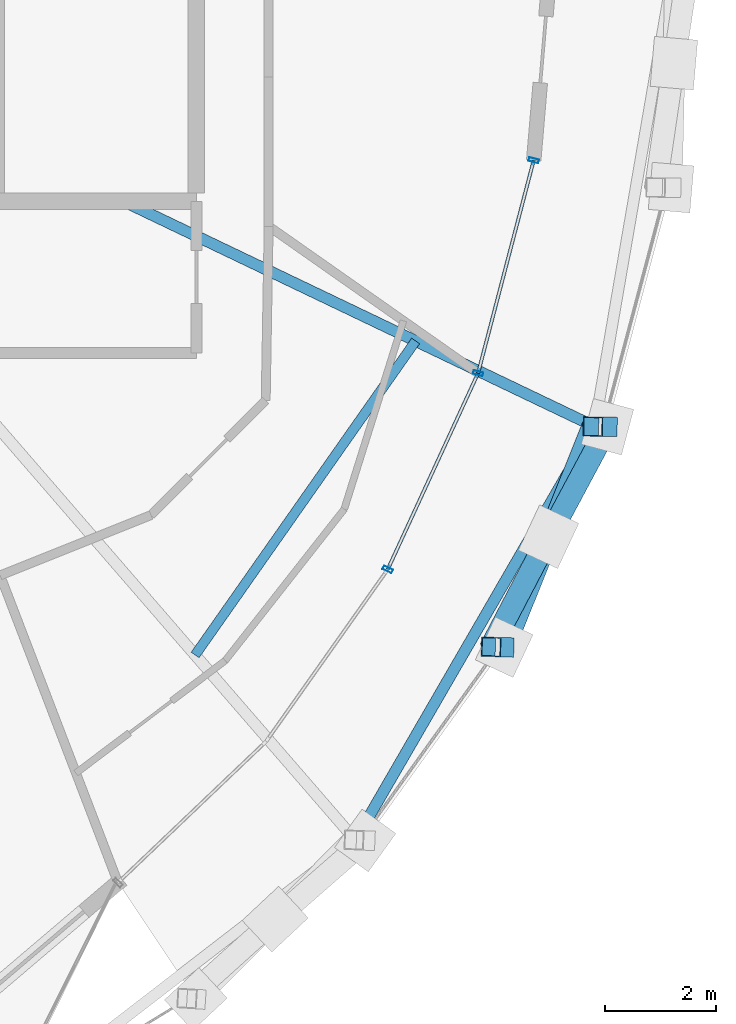
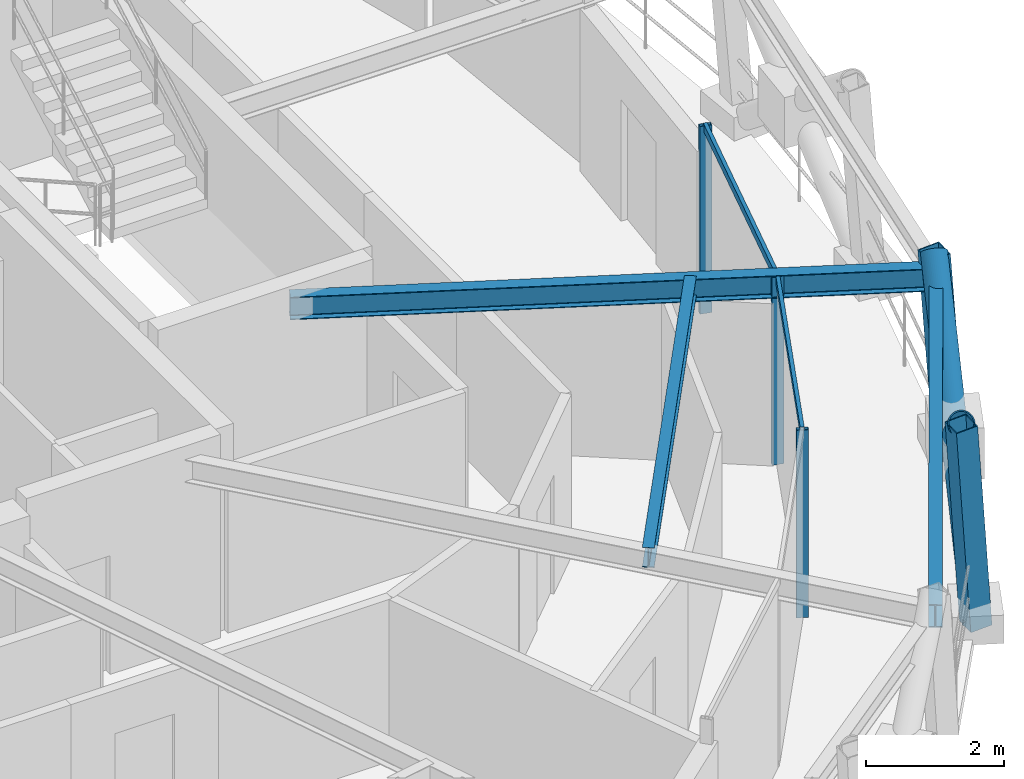
# One storey, part 4 of 17: 10 members, 3 beams, 1 element without a shape of its own.
"""IFC4 building model written with IfcOpenShell, lengths in metres."""

from ifc_helpers import new_model, si_unit, direction, frame, origin, origin_2d, place, context, subcontext, project, spatial, hollow_rectangle, hollow_circle, i_section, extrude, material, layer, layer_set, material_profile, profile_set, type_object, element, aggregate, save


model = new_model("IFC4")

# Units and contexts
model_context = context("Model", 3, precision=1e-05, world=origin(), true_north=direction((0.0, 1.0)))
body_context = subcontext(model_context, "Body", "Model", "MODEL_VIEW")
ifc_project = project(units=[si_unit("LENGTHUNIT", "METRE"), si_unit("AREAUNIT", "SQUARE_METRE"), si_unit("VOLUMEUNIT", "CUBIC_METRE"), si_unit("PLANEANGLEUNIT", "RADIAN"), si_unit("MASSUNIT", "GRAM", prefix="KILO")], contexts=[model_context])

# Site, building, storey
site_placement = place(None, origin())
site = spatial("IfcSite", under=ifc_project, at=site_placement, CompositionType="ELEMENT")
building_placement = place(site_placement, origin())
building = spatial("IfcBuilding", under=site, at=building_placement, Name="Veldorina Hangang Commons", CompositionType="ELEMENT")
storey_placement = place(building_placement, frame((0.0, 0.0, 286.800048828125)))
storey = spatial("IfcBuildingStorey", under=building, at=storey_placement, Name="L75", CompositionType="ELEMENT", Elevation=286.800048828125)

# Beams
ifc_material_1 = material(Name="Steel SM355-TMC", Category="steel")
ifc_material_profile_1 = material_profile(ifc_material_1, i_section(OverallWidth=0.199951171875, OverallDepth=0.39990234375, WebThickness=0.008056640625, FlangeThickness=0.012939453125, FilletRadius=0.012939453125, at=origin_2d()), Name="H-400x200x8x13")
ifc_profile_set_1 = profile_set([ifc_material_profile_1], Name="Steel SM355-TMC")
beam_type_1 = type_object("IfcBeamType", Name="BM-FG400", PredefinedType="BEAM", material=ifc_profile_set_1)
beam_1_placement = place(storey_placement, frame((41.869384765625, 19.280029296875, 3.159912109375), z_axis=(0.902137739943, -0.431448140766, 0.0), x_axis=(0.431448140766, 0.902137739943, 0.0)))
element("IfcBeam", 1, at=beam_1_placement, inside=storey, type_object=beam_type_1, Name="L75 radial floor girder 16", PredefinedType="BEAM", context=body_context, shape_type="SweptSolid", body=[
    extrude(i_section(OverallWidth=0.199951171875, OverallDepth=0.39990234375, WebThickness=0.008056640625, FlangeThickness=0.012939453125, FilletRadius=0.012939453125, at=origin_2d()), origin(), (0.0, 0.0, 1.0), 9.39453125),
])
ifc_material_profile_2 = material_profile(ifc_material_1, i_section(OverallWidth=0.175048828125, OverallDepth=0.35009765625, WebThickness=0.007080078125, FlangeThickness=0.010986328125, FilletRadius=0.012939453125, at=origin_2d()), Name="H-350x175x7x11")
ifc_profile_set_2 = profile_set([ifc_material_profile_2], Name="Steel SM355-TMC")
beam_type_2 = type_object("IfcBeamType", Name="BM-JST350", PredefinedType="JOIST", material=ifc_profile_set_2)
beam_2_placement = place(storey_placement, frame((43.156982421875, 11.1181640625, 3.18505859375), z_axis=(0.574705521178, 0.818360289804, 0.0), x_axis=(-0.818360289804, 0.574705521178, 0.0)))
element("IfcBeam", 2, at=beam_2_placement, inside=storey, type_object=beam_type_2, Name="L75 secondary floor joist 15", PredefinedType="JOIST", context=body_context, shape_type="SweptSolid", body=[
    extrude(i_section(OverallWidth=0.175048828125, OverallDepth=0.35009765625, WebThickness=0.007080078125, FlangeThickness=0.010986328125, FilletRadius=0.012939453125, at=origin_2d()), origin(), (0.0, 0.0, 1.0), 6.90283203125),
])
ifc_material_profile_3 = material_profile(ifc_material_1, i_section(OverallWidth=0.199951171875, OverallDepth=0.39990234375, WebThickness=0.008056640625, FlangeThickness=0.012939453125, FilletRadius=0.012939453125, at=origin_2d()), Name="H-400x200x8x13")
ifc_profile_set_3 = profile_set([ifc_material_profile_3], Name="Steel SM355-TMC")
beam_type_3 = type_object("IfcBeamType", Name="BM-RB400", PredefinedType="BEAM", material=ifc_profile_set_3)
beam_3_placement = place(storey_placement, frame((46.040283203125, 7.7890625, 3.159912109375), z_axis=(0.500873874956, 0.865520283637, 0.0), x_axis=(-0.865520283637, 0.500873874956, 0.0)))
element("IfcBeam", 3, at=beam_3_placement, inside=storey, type_object=beam_type_3, Name="L75 perimeter hoop ring beam 28", PredefinedType="BEAM", context=body_context, shape_type="SweptSolid", body=[
    extrude(i_section(OverallWidth=0.199951171875, OverallDepth=0.39990234375, WebThickness=0.008056640625, FlangeThickness=0.012939453125, FilletRadius=0.012939453125, at=origin_2d()), origin(), (0.0, 0.0, 1.0), 8.59326171875),
])

# Curtain wall, members
ifc_material_2 = material(Name="Glass Low-E Selective", Category="glass")
ifc_layer = layer(ifc_material_2, 0.179931640625)
ifc_layer_set = layer_set([ifc_layer], Name="Glass Low-E Selective")
curtain_wall_type = type_object("IfcCurtainWallType", Name="CW-SYS-Z3", PredefinedType="NOTDEFINED", material=ifc_layer_set)
curtain_wall_placement = place(storey_placement, origin())
curtain_wall = element("IfcCurtainWall", 4, at=curtain_wall_placement, inside=storey, type_object=curtain_wall_type, Name="L75 unitised curtain wall CW-L75-R2", PredefinedType="NOTDEFINED")
ifc_material_3 = material(Name="Aluminium Anodized AA6063-T6", Category="aluminium")
ifc_material_profile_4 = material_profile(ifc_material_3, hollow_rectangle(XDim=0.070068359375, YDim=0.179931640625, WallThickness=0.00390625, at=origin_2d()), Name="ALU-RHS-180x70x4")
ifc_profile_set_4 = profile_set([ifc_material_profile_4], Name="Aluminium Anodized AA6063-T6")
member_type_1 = type_object("IfcMemberType", Name="CW-MUL-180", PredefinedType="MULLION", material=ifc_profile_set_4)
member_1_placement = place(storey_placement, frame((46.6220703125, 12.6572265625, 0.0), z_axis=(0.0, 0.0, 1.0), x_axis=(0.41823173868, 0.908340361737, 0.0)))
member_1 = element("IfcMember", 5, at=member_1_placement, type_object=member_type_1, Name="CW-L75-R2 vertical mullion 2", PredefinedType="MULLION", context=body_context, shape_type="SweptSolid", body=[
    extrude(hollow_rectangle(XDim=0.070068359375, YDim=0.179931640625, WallThickness=0.00390625, at=origin_2d()), origin(), (0.0, 0.0, 1.0), 3.320068359375),
])
member_2_placement = place(storey_placement, frame((48.247314453125, 16.18701171875, 0.0), z_axis=(0.0, 0.0, 1.0), x_axis=(0.25279554477, 0.967519722044, 0.0)))
member_2 = element("IfcMember", 6, at=member_2_placement, type_object=member_type_1, Name="CW-L75-R2 vertical mullion 3", PredefinedType="MULLION", context=body_context, shape_type="SweptSolid", body=[
    extrude(hollow_rectangle(XDim=0.070068359375, YDim=0.179931640625, WallThickness=0.00390625, at=origin_2d()), origin(), (0.0, 0.0, 1.0), 3.320068359375),
])
member_3_placement = place(storey_placement, frame((49.248046875, 20.01708984375, 0.0), z_axis=(0.0, 0.0, 1.0), x_axis=(-0.25279554477, -0.967519722044, 0.0)))
member_3 = element("IfcMember", 7, at=member_3_placement, type_object=member_type_1, Name="CW-L75-R2 vertical mullion 4", PredefinedType="MULLION", context=body_context, shape_type="SweptSolid", body=[
    extrude(hollow_rectangle(XDim=0.070068359375, YDim=0.179931640625, WallThickness=0.00390625, at=origin_2d()), origin(), (0.0, 0.0, 1.0), 3.320068359375),
])
ifc_material_profile_5 = material_profile(ifc_material_3, hollow_rectangle(XDim=0.06005859375, YDim=0.139892578125, WallThickness=0.00341796875, at=origin_2d()), Name="ALU-RHS-140x60x3.5")
ifc_profile_set_5 = profile_set([ifc_material_profile_5], Name="Aluminium Anodized AA6063-T6")
member_type_2 = type_object("IfcMemberType", Name="CW-TRN-140", PredefinedType="USERDEFINED", material=ifc_profile_set_5)
member_4_placement = place(storey_placement, frame((46.6220703125, 12.6572265625, 3.280029296875), z_axis=(0.418233297206, 0.908339644135, 0.0), x_axis=(-0.908339644135, 0.418233297206, 0.0)))
member_4 = element("IfcMember", 8, at=member_4_placement, type_object=member_type_2, Name="CW-L75-R2 facet 3 transom 1", ObjectType="TRANSOM", PredefinedType="USERDEFINED", context=body_context, shape_type="SweptSolid", body=[
    extrude(hollow_rectangle(XDim=0.06005859375, YDim=0.139892578125, WallThickness=0.00341796875, at=origin_2d()), origin(), (0.0, 0.0, 1.0), 3.885986328125),
])
member_5_placement = place(storey_placement, frame((48.247314453125, 16.18701171875, 3.280029296875), z_axis=(0.252795952569, 0.967519615493, 0.0), x_axis=(-0.967519615493, 0.252795952569, 0.0)))
member_5 = element("IfcMember", 9, at=member_5_placement, type_object=member_type_2, Name="CW-L75-R2 facet 4 transom 1", ObjectType="TRANSOM", PredefinedType="USERDEFINED", context=body_context, shape_type="SweptSolid", body=[
    extrude(hollow_rectangle(XDim=0.06005859375, YDim=0.139892578125, WallThickness=0.00341796875, at=origin_2d()), origin(), (0.0, 0.0, 1.0), 3.958740234375),
])
aggregate(curtain_wall, [member_1, member_2, member_3, member_4, member_5])

# Members
ifc_material_profile_6 = material_profile(ifc_material_1, hollow_circle(Radius=0.199951171875, WallThickness=0.02001953125, at=origin_2d()), Name="CHS-400x20")
ifc_profile_set_6 = profile_set([ifc_material_profile_6], Name="Steel SM355-TMC")
member_type_3 = type_object("IfcMemberType", Name="DG-CHS400", PredefinedType="BRACE", material=ifc_profile_set_6)
member_6_placement = place(storey_placement, frame((48.71728515625, 11.257080078125, 0.0), z_axis=(0.285286488395, 0.71002890638, 0.643793889101), x_axis=(-0.927901050106, 0.372826556475, 0.0)))
element("IfcMember", 10, at=member_6_placement, inside=storey, type_object=member_type_3, Name="L75 continuous perimeter diagrid brace 29", PredefinedType="BRACE", context=body_context, shape_type="SweptSolid", body=[
    extrude(hollow_circle(Radius=0.199951171875, WallThickness=0.02001953125, at=origin_2d()), origin(), (0.0, 0.0, 1.0), 5.591552734375),
])
member_7_placement = place(storey_placement, frame((50.575439453125, 15.22265625, 0.0), z_axis=(-0.368081642554, -0.687130975959, 0.626391990923), x_axis=(0.881492912368, -0.472197252687, 0.0)))
element("IfcMember", 11, at=member_7_placement, inside=storey, type_object=member_type_3, Name="L75 split perimeter diagrid lower brace 30", PredefinedType="BRACE", context=body_context, shape_type="SweptSolid", body=[
    extrude(hollow_circle(Radius=0.199951171875, WallThickness=0.02001953125, at=origin_2d()), origin(), (0.0, 0.0, 1.0), 2.8779296875),
])
member_8_placement = place(storey_placement, frame((49.51611328125, 13.2451171875, 1.802734375), z_axis=(-0.3609869937, -0.690735546775, 0.62655629819), x_axis=(0.886267220598, -0.463174280044, 0.0)))
element("IfcMember", 12, at=member_8_placement, inside=storey, type_object=member_type_3, Name="L75 split perimeter diagrid upper brace 30", PredefinedType="BRACE", context=body_context, shape_type="SweptSolid", body=[
    extrude(hollow_circle(Radius=0.199951171875, WallThickness=0.02001953125, at=origin_2d()), origin(), (0.0, 0.0, 1.0), 2.8681640625),
])
ifc_material_profile_7 = material_profile(ifc_material_1, hollow_rectangle(XDim=0.35009765625, YDim=0.35009765625, WallThickness=0.01611328125, at=origin_2d()), Name="SHS-350x350x16")
ifc_profile_set_7 = profile_set([ifc_material_profile_7], Name="Steel SM355-TMC")
member_type_4 = type_object("IfcMemberType", Name="STR-SHS350", PredefinedType="STRUT", material=ifc_profile_set_7)
member_9_placement = place(storey_placement, frame((48.71728515625, 11.257080078125, 0.0), z_axis=(-0.065575624504, 0.001894858087, 0.99784580321), x_axis=(-0.028883712899, -0.999582778528, 0.0)))
element("IfcMember", 13, at=member_9_placement, inside=storey, type_object=member_type_4, Name="L75 perimeter ring node post 29", PredefinedType="STRUT", context=body_context, shape_type="SweptSolid", body=[
    extrude(hollow_rectangle(XDim=0.35009765625, YDim=0.35009765625, WallThickness=0.01611328125, at=origin_2d()), origin(), (0.0, 0.0, 1.0), 3.607666015625),
])
member_10_placement = place(storey_placement, frame((50.575439453125, 15.22265625, 0.0), z_axis=(-0.07284758298, 0.001285147703, 0.997342257226), x_axis=(-0.017638852408, -0.999844423341, 0.0)))
element("IfcMember", 14, at=member_10_placement, inside=storey, type_object=member_type_4, Name="L75 perimeter ring node post 30", PredefinedType="STRUT", context=body_context, shape_type="SweptSolid", body=[
    extrude(hollow_rectangle(XDim=0.35009765625, YDim=0.35009765625, WallThickness=0.01611328125, at=origin_2d()), origin(), (0.0, 0.0, 1.0), 3.609375),
])

save(model, "model.ifc")
